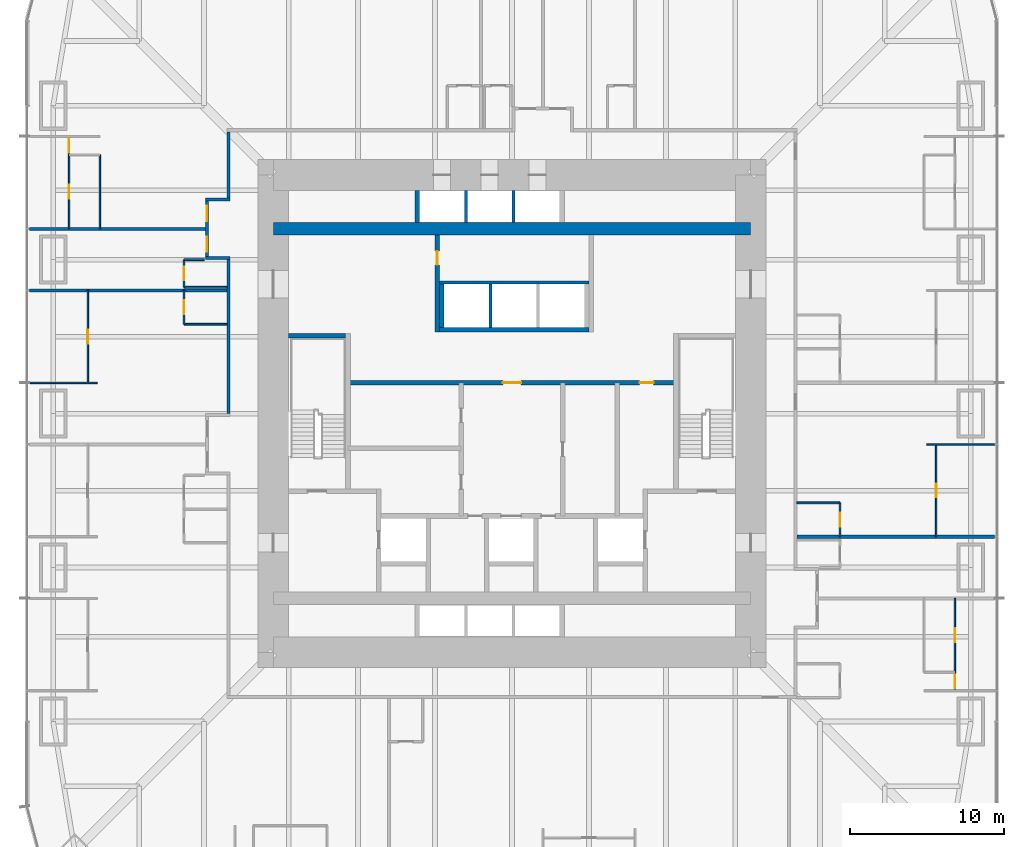
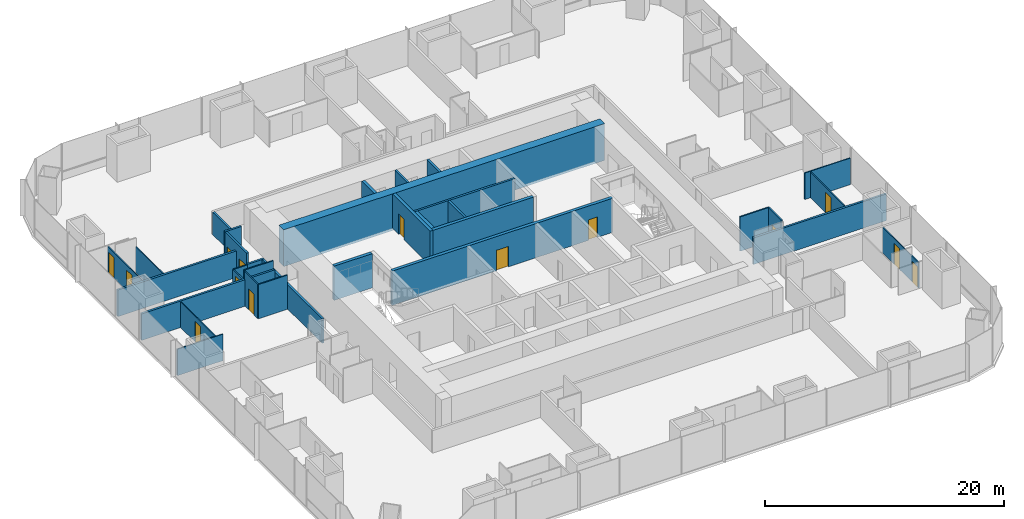
# One storey, part 14 of 17: 33 walls, 14 doors, 14 openings.
"""IFC4 building model written with IfcOpenShell, lengths in metres."""

from ifc_helpers import new_model, si_unit, direction, frame, frame_2d, origin, place, context, subcontext, project, spatial, rectangle, extrude, material, layer, layer_set, type_object, element, fill, save


model = new_model("IFC4")

# Units and contexts
model_context = context("Model", 3, precision=1e-05, world=origin(), true_north=direction((0.0, 1.0)))
body_context = subcontext(model_context, "Body", "Model", "MODEL_VIEW")
ifc_project = project(units=[si_unit("LENGTHUNIT", "METRE"), si_unit("AREAUNIT", "SQUARE_METRE"), si_unit("VOLUMEUNIT", "CUBIC_METRE"), si_unit("PLANEANGLEUNIT", "RADIAN"), si_unit("MASSUNIT", "GRAM", prefix="KILO")], contexts=[model_context])

# Site, building, storey
site_placement = place(None, origin())
site = spatial("IfcSite", under=ifc_project, at=site_placement, CompositionType="ELEMENT")
building_placement = place(site_placement, origin())
building = spatial("IfcBuilding", under=site, at=building_placement, Name="Khuree Lantern Residences", CompositionType="ELEMENT")
storey_placement = place(building_placement, frame((0.0, 0.0, 51.0)))
storey = spatial("IfcBuildingStorey", under=building, at=storey_placement, Name="L12", CompositionType="ELEMENT", Elevation=51.0)

# Wall, opening, door
ifc_material_1 = material(Name="Moisture-resistant gypsum board on steel studs", Category="steel")
ifc_layer_1 = layer(ifc_material_1, 0.125)
ifc_layer_set_1 = layer_set([ifc_layer_1], Name="BATHROOM WALL BTW125")
wall_type_1 = type_object("IfcWallType", Name="BATHROOM WALL BTW125", PredefinedType="PARTITIONING", material=ifc_layer_set_1)
wall_1_placement = place(storey_placement, frame((21.300048828125, -8.0, 0.0), z_axis=(0.0, 0.0, 1.0), x_axis=(0.0, 1.0, 0.0)))
wall_1 = element("IfcWall", 1, at=wall_1_placement, inside=storey, type_object=wall_type_1, Name="L12 BATHROOM WALL 01", PredefinedType="PARTITIONING", context=body_context, shape_type="SweptSolid", body=[
    extrude(rectangle(XDim=2.199951171875, YDim=0.125, at=frame_2d((1.10009765625, 0.0))), origin(), (0.0, 0.0, 1.0), 3.5),
])
opening_1_placement = place(wall_1_placement, frame((0.64990234375, 0.0, 0.0)))
opening_1 = element("IfcOpeningElement", 2, at=opening_1_placement, cuts=wall_1, Name="Opening 12-022", PredefinedType="OPENING", context=body_context, shape_type="SweptSolid", body=[
    extrude(rectangle(XDim=0.89990234375, YDim=2.10009765625, at=frame_2d((0.449951171875, 1.050048828125))), frame((0.0, 0.072509765625, 0.0), z_axis=(0.0, -1.0, 0.0), x_axis=(1.0, 0.0, 0.0)), (0.0, 0.0, 1.0), 0.14501953125),
])
ifc_material_2 = material(Name="Timber door leaf in hardwood frame", Category="wood")
door_type_1 = type_object("IfcDoorType", Name="BATHROOM DOOR 900X2100", OperationType="SINGLE_SWING_LEFT", PredefinedType="DOOR", material=ifc_material_2)
door_1_placement = place(opening_1_placement, origin())
door_1 = element("IfcDoor", 3, at=door_1_placement, inside=storey, type_object=door_type_1, Name="Bathroom door 12-022", OperationType="SINGLE_SWING_LEFT", OverallHeight=2.10009765625, OverallWidth=0.89990234375, PredefinedType="DOOR", context=body_context, shape_type="SweptSolid", body=[
    extrude(rectangle(XDim=0.89990234375, YDim=2.10009765625, at=frame_2d((0.449951171875, 1.050048828125))), frame((0.0, 0.02490234375, 0.0), z_axis=(0.0, -1.0, 0.0), x_axis=(1.0, 0.0, 0.0)), (0.0, 0.0, 1.0), 0.050048828125),
])
fill(opening_1, door_1)

# Wall
wall_2_placement = place(storey_placement, frame((18.5, -5.800048828125, 0.0), z_axis=(0.0, 0.0, 1.0), x_axis=(1.0, 0.0, 0.0)))
element("IfcWall", 4, at=wall_2_placement, inside=storey, type_object=wall_type_1, Name="L12 BATHROOM WALL 01", PredefinedType="PARTITIONING", context=body_context, shape_type="SweptSolid", body=[
    extrude(rectangle(XDim=2.800048828125, YDim=0.125, at=frame_2d((1.39990234375, 0.0))), origin(), (0.0, 0.0, 1.0), 3.5),
])

# Wall, opening, door
wall_3_placement = place(storey_placement, frame((-21.300048828125, 10.0, 0.0), z_axis=(0.0, 0.0, 1.0), x_axis=(0.0, -1.0, 0.0)))
wall_3 = element("IfcWall", 5, at=wall_3_placement, inside=storey, type_object=wall_type_1, Name="L12 BATHROOM WALL 06", PredefinedType="PARTITIONING", context=body_context, shape_type="SweptSolid", body=[
    extrude(rectangle(XDim=1.800048828125, YDim=0.125, at=frame_2d((0.89990234375, 0.0))), origin(), (0.0, 0.0, 1.0), 2.491943359375),
])
opening_2_placement = place(wall_3_placement, frame((0.449951171875, 0.0, 0.0)))
opening_2 = element("IfcOpeningElement", 6, at=opening_2_placement, cuts=wall_3, Name="Opening 12-040", PredefinedType="OPENING", context=body_context, shape_type="SweptSolid", body=[
    extrude(rectangle(XDim=0.89990234375, YDim=2.10009765625, at=frame_2d((0.449951171875, 1.050048828125))), frame((0.0, 0.072509765625, 0.0), z_axis=(0.0, -1.0, 0.0), x_axis=(1.0, 0.0, 0.0)), (0.0, 0.0, 1.0), 0.14501953125),
])
door_2_placement = place(opening_2_placement, origin())
door_2 = element("IfcDoor", 7, at=door_2_placement, inside=storey, type_object=door_type_1, Name="Bathroom door 12-040", OperationType="SINGLE_SWING_LEFT", OverallHeight=2.10009765625, OverallWidth=0.89990234375, PredefinedType="DOOR", context=body_context, shape_type="SweptSolid", body=[
    extrude(rectangle(XDim=0.89990234375, YDim=2.10009765625, at=frame_2d((0.449951171875, 1.050048828125))), frame((0.0, 0.02490234375, 0.0), z_axis=(0.0, -1.0, 0.0), x_axis=(1.0, 0.0, 0.0)), (0.0, 0.0, 1.0), 0.050048828125),
])
fill(opening_2, door_2)

# Walls
wall_4_placement = place(storey_placement, frame((-19.969970703125, 10.0, 0.0), z_axis=(0.0, 0.0, 1.0), x_axis=(-1.0, 0.0, 0.0)))
element("IfcWall", 8, at=wall_4_placement, inside=storey, type_object=wall_type_1, Name="L12 BATHROOM WALL 06", PredefinedType="PARTITIONING", context=body_context, shape_type="SweptSolid", body=[
    extrude(rectangle(XDim=1.330078125, YDim=0.125, at=frame_2d((0.6650390625, 0.0))), origin(), (0.0, 0.0, 1.0), 2.491943359375),
])
wall_5_placement = place(storey_placement, frame((-18.5, 8.199951171875, 0.0), z_axis=(0.0, 0.0, 1.0), x_axis=(-1.0, 0.0, 0.0)))
element("IfcWall", 9, at=wall_5_placement, inside=storey, type_object=wall_type_1, Name="L12 BATHROOM WALL 06", PredefinedType="PARTITIONING", context=body_context, shape_type="SweptSolid", body=[
    extrude(rectangle(XDim=2.800048828125, YDim=0.125, at=frame_2d((1.39990234375, 0.0))), origin(), (0.0, 0.0, 1.0), 3.5),
])

# Wall, opening, door
wall_6_placement = place(storey_placement, frame((-21.300048828125, 8.0, 0.0), z_axis=(0.0, 0.0, 1.0), x_axis=(0.0, -1.0, 0.0)))
wall_6 = element("IfcWall", 10, at=wall_6_placement, inside=storey, type_object=wall_type_1, Name="L12 BATHROOM WALL 07", PredefinedType="PARTITIONING", context=body_context, shape_type="SweptSolid", body=[
    extrude(rectangle(XDim=2.199951171875, YDim=0.125, at=frame_2d((1.10009765625, 0.0))), origin(), (0.0, 0.0, 1.0), 3.5),
])
opening_3_placement = place(wall_6_placement, frame((0.64990234375, 0.0, 0.0)))
opening_3 = element("IfcOpeningElement", 11, at=opening_3_placement, cuts=wall_6, Name="Opening 12-043", PredefinedType="OPENING", context=body_context, shape_type="SweptSolid", body=[
    extrude(rectangle(XDim=0.89990234375, YDim=2.10009765625, at=frame_2d((0.449951171875, 1.050048828125))), frame((0.0, 0.072509765625, 0.0), z_axis=(0.0, -1.0, 0.0), x_axis=(1.0, 0.0, 0.0)), (0.0, 0.0, 1.0), 0.14501953125),
])
door_3_placement = place(opening_3_placement, origin())
door_3 = element("IfcDoor", 12, at=door_3_placement, inside=storey, type_object=door_type_1, Name="Bathroom door 12-043", OperationType="SINGLE_SWING_LEFT", OverallHeight=2.10009765625, OverallWidth=0.89990234375, PredefinedType="DOOR", context=body_context, shape_type="SweptSolid", body=[
    extrude(rectangle(XDim=0.89990234375, YDim=2.10009765625, at=frame_2d((0.449951171875, 1.050048828125))), frame((0.0, 0.02490234375, 0.0), z_axis=(0.0, -1.0, 0.0), x_axis=(1.0, 0.0, 0.0)), (0.0, 0.0, 1.0), 0.050048828125),
])
fill(opening_3, door_3)

# Walls
wall_7_placement = place(storey_placement, frame((-18.5, 5.800048828125, 0.0), z_axis=(0.0, 0.0, 1.0), x_axis=(-1.0, 0.0, 0.0)))
element("IfcWall", 13, at=wall_7_placement, inside=storey, type_object=wall_type_1, Name="L12 BATHROOM WALL 07", PredefinedType="PARTITIONING", context=body_context, shape_type="SweptSolid", body=[
    extrude(rectangle(XDim=2.800048828125, YDim=0.125, at=frame_2d((1.39990234375, 0.0))), origin(), (0.0, 0.0, 1.0), 3.5),
])
ifc_material_3 = material(Name="Dense concrete blockwork", Category="masonry")
ifc_layer_2 = layer(ifc_material_3, 0.300048828125)
ifc_layer_set_2 = layer_set([ifc_layer_2], Name="CORE PARTITION WALL CPW300 EI 120")
wall_type_2 = type_object("IfcWallType", Name="CORE PARTITION WALL CPW300 EI 120", PredefinedType="PARTITIONING", material=ifc_layer_set_2)
wall_8_placement = place(storey_placement, frame((-4.699951171875, 5.449951171875, 0.0), z_axis=(0.0, 0.0, 1.0), x_axis=(1.0, 0.0, 0.0)))
element("IfcWall", 14, at=wall_8_placement, inside=storey, type_object=wall_type_2, Name="L12 CORE WALL PHS", PredefinedType="PARTITIONING", context=body_context, shape_type="SweptSolid", body=[
    extrude(rectangle(XDim=9.699951171875, YDim=0.300048828125, at=frame_2d((4.85009765625, 0.0))), origin(), (0.0, 0.0, 1.0), 3.5),
])
wall_9_placement = place(storey_placement, frame((-4.550048828125, 5.60009765625, 0.0), z_axis=(0.0, 0.0, 1.0), x_axis=(0.0, 1.0, 0.0)))
element("IfcWall", 15, at=wall_9_placement, inside=storey, type_object=wall_type_2, Name="L12 CORE WALL PHW", PredefinedType="PARTITIONING", context=body_context, shape_type="SweptSolid", body=[
    extrude(rectangle(XDim=2.7998046875, YDim=0.300048828125, at=frame_2d((1.39990234375, 0.0))), origin(), (0.0, 0.0, 1.0), 3.5),
])
wall_10_placement = place(storey_placement, frame((-6.14990234375, 12.39990234375, 0.0), z_axis=(0.0, 0.0, 1.0), x_axis=(0.0, 1.0, 0.0)))
element("IfcWall", 16, at=wall_10_placement, inside=storey, type_object=wall_type_2, Name="L12 CORE WALL PLW", PredefinedType="PARTITIONING", context=body_context, shape_type="SweptSolid", body=[
    extrude(rectangle(XDim=2.10009765625, YDim=0.300048828125, at=frame_2d((1.050048828125, 0.0))), origin(), (0.0, 0.0, 1.0), 3.5),
])

# Wall, openings, doors
wall_11_placement = place(storey_placement, frame((-10.64990234375, 2.0, 0.0), z_axis=(0.0, 0.0, 1.0), x_axis=(1.0, 0.0, 0.0)))
wall_11 = element("IfcWall", 17, at=wall_11_placement, inside=storey, type_object=wall_type_2, Name="L12 CORE WALL LLS", PredefinedType="PARTITIONING", context=body_context, shape_type="SweptSolid", body=[
    extrude(rectangle(XDim=21.2998046875, YDim=0.300048828125, at=frame_2d((10.64990234375, 0.0))), origin(), (0.0, 0.0, 1.0), 3.5),
])
opening_4_placement = place(wall_11_placement, frame((10.050048828125, 0.0, 0.0)))
opening_4 = element("IfcOpeningElement", 18, at=opening_4_placement, cuts=wall_11, Name="Opening 12-013", PredefinedType="OPENING", context=body_context, shape_type="SweptSolid", body=[
    extrude(rectangle(XDim=1.199951171875, YDim=2.10009765625, at=frame_2d((0.60009765625, 1.050048828125))), frame((0.0, 0.16015625, 0.0), z_axis=(0.0, -1.0, 0.0), x_axis=(1.0, 0.0, 0.0)), (0.0, 0.0, 1.0), 0.320068359375),
])
opening_5_placement = place(wall_11_placement, frame((18.94189453125, 0.0, 0.0)))
opening_5 = element("IfcOpeningElement", 19, at=opening_5_placement, cuts=wall_11, Name="Opening 12-019", PredefinedType="OPENING", context=body_context, shape_type="SweptSolid", body=[
    extrude(rectangle(XDim=0.89990234375, YDim=2.10009765625, at=frame_2d((0.449951171875, 1.050048828125))), frame((0.0, 0.16015625, 0.0), z_axis=(0.0, -1.0, 0.0), x_axis=(1.0, 0.0, 0.0)), (0.0, 0.0, 1.0), 0.320068359375),
])
ifc_material_4 = material(Name="Steel door leaf in steel frame", Category="steel")
door_type_2 = type_object("IfcDoorType", Name="DOOR 1200X2100 EI 60", OperationType="SINGLE_SWING_LEFT", PredefinedType="DOOR", material=ifc_material_4)
door_4_placement = place(opening_4_placement, origin())
door_4 = element("IfcDoor", 20, at=door_4_placement, inside=storey, type_object=door_type_2, Name="Service lift lobby door 12-013", OperationType="SINGLE_SWING_LEFT", OverallHeight=2.10009765625, OverallWidth=1.199951171875, PredefinedType="DOOR", context=body_context, shape_type="SweptSolid", body=[
    extrude(rectangle(XDim=1.199951171875, YDim=2.10009765625, at=frame_2d((0.60009765625, 1.050048828125))), frame((0.0, 0.02490234375, 0.0), z_axis=(0.0, -1.0, 0.0), x_axis=(1.0, 0.0, 0.0)), (0.0, 0.0, 1.0), 0.050048828125),
])
fill(opening_4, door_4)
door_type_3 = type_object("IfcDoorType", Name="DOOR 900X2100 RIGHT HAND", OperationType="SINGLE_SWING_RIGHT", PredefinedType="DOOR", material=ifc_material_2)
door_5_placement = place(opening_5_placement, origin())
door_5 = element("IfcDoor", 21, at=door_5_placement, inside=storey, type_object=door_type_3, Name="Residents' store door 12-019", OperationType="SINGLE_SWING_RIGHT", OverallHeight=2.10009765625, OverallWidth=0.89990234375, PredefinedType="DOOR", context=body_context, shape_type="SweptSolid", body=[
    extrude(rectangle(XDim=0.89990234375, YDim=2.10009765625, at=frame_2d((0.449951171875, 1.050048828125))), frame((0.0, 0.02490234375, 0.0), z_axis=(0.0, -1.0, 0.0), x_axis=(1.0, 0.0, 0.0)), (0.0, 0.0, 1.0), 0.050048828125),
])
fill(opening_5, door_5)

# Wall, opening, door
wall_12_placement = place(storey_placement, frame((-4.85009765625, 5.300048828125, 0.0), z_axis=(0.0, 0.0, 1.0), x_axis=(0.0, 1.0, 0.0)))
wall_12 = element("IfcWall", 22, at=wall_12_placement, inside=storey, type_object=wall_type_2, Name="L12 CORE WALL NW", PredefinedType="PARTITIONING", context=body_context, shape_type="SweptSolid", body=[
    extrude(rectangle(XDim=6.300048828125, YDim=0.300048828125, at=frame_2d((3.14990234375, 0.0))), origin(), (0.0, 0.0, 1.0), 3.5),
])
opening_6_placement = place(wall_12_placement, frame((4.35009765625, 0.0, 0.0)))
opening_6 = element("IfcOpeningElement", 23, at=opening_6_placement, cuts=wall_12, Name="Opening 12-020", PredefinedType="OPENING", context=body_context, shape_type="SweptSolid", body=[
    extrude(rectangle(XDim=0.89990234375, YDim=2.10009765625, at=frame_2d((0.449951171875, 1.050048828125))), frame((0.0, 0.16015625, 0.0), z_axis=(0.0, -1.0, 0.0), x_axis=(1.0, 0.0, 0.0)), (0.0, 0.0, 1.0), 0.320068359375),
])
door_6_placement = place(opening_6_placement, origin())
door_6 = element("IfcDoor", 24, at=door_6_placement, inside=storey, type_object=door_type_3, Name="Residents' store door 12-020", OperationType="SINGLE_SWING_RIGHT", OverallHeight=2.10009765625, OverallWidth=0.89990234375, PredefinedType="DOOR", context=body_context, shape_type="SweptSolid", body=[
    extrude(rectangle(XDim=0.89990234375, YDim=2.10009765625, at=frame_2d((0.449951171875, 1.050048828125))), frame((0.0, 0.02490234375, 0.0), z_axis=(0.0, -1.0, 0.0), x_axis=(1.0, 0.0, 0.0)), (0.0, 0.0, 1.0), 0.050048828125),
])
fill(opening_6, door_6)

# Walls
ifc_material_5 = material(Name="Gypsum board on steel studs", Category="steel")
ifc_layer_3 = layer(ifc_material_5, 0.199951171875)
ifc_layer_set_3 = layer_set([ifc_layer_3], Name="CORRIDOR WALL CRW200 EI 60")
wall_type_3 = type_object("IfcWallType", Name="CORRIDOR WALL CRW200 EI 60", PredefinedType="PARTITIONING", material=ifc_layer_set_3)
wall_13_placement = place(storey_placement, frame((-18.39990234375, 18.300048828125, 0.0), z_axis=(0.0, 0.0, 1.0), x_axis=(0.0, -1.0, 0.0)))
element("IfcWall", 25, at=wall_13_placement, inside=storey, type_object=wall_type_3, Name="L12 CORRIDOR WALL WEST 1", PredefinedType="PARTITIONING", context=body_context, shape_type="SweptSolid", body=[
    extrude(rectangle(XDim=4.300048828125, YDim=0.199951171875, at=frame_2d((2.14990234375, 0.0))), origin(), (0.0, 0.0, 1.0), 2.300048828125),
])
wall_14_placement = place(storey_placement, frame((-18.300048828125, 13.89990234375, 0.0), z_axis=(0.0, 0.0, 1.0), x_axis=(-1.0, 0.0, 0.0)))
element("IfcWall", 26, at=wall_14_placement, inside=storey, type_object=wall_type_3, Name="L12 CORRIDOR ALCOVE WALL WEST", PredefinedType="PARTITIONING", context=body_context, shape_type="SweptSolid", body=[
    extrude(rectangle(XDim=1.599853515625, YDim=0.199951171875, at=frame_2d((0.7998046875, 0.0))), origin(), (0.0, 0.0, 1.0), 3.5),
])
wall_15_placement = place(storey_placement, frame((-18.300048828125, 10.10009765625, 0.0), z_axis=(0.0, 0.0, 1.0), x_axis=(-1.0, 0.0, 0.0)))
element("IfcWall", 27, at=wall_15_placement, inside=storey, type_object=wall_type_3, Name="L12 CORRIDOR ALCOVE WALL WEST", PredefinedType="PARTITIONING", context=body_context, shape_type="SweptSolid", body=[
    extrude(rectangle(XDim=1.599853515625, YDim=0.199951171875, at=frame_2d((0.7998046875, 0.0))), origin(), (0.0, 0.0, 1.0), 2.491943359375),
])

# Wall, openings, doors
wall_16_placement = place(storey_placement, frame((-19.800048828125, 13.800048828125, 0.0), z_axis=(0.0, 0.0, 1.0), x_axis=(0.0, -1.0, 0.0)))
wall_16 = element("IfcWall", 28, at=wall_16_placement, inside=storey, type_object=wall_type_3, Name="L12 CORRIDOR ALCOVE WALL WEST", PredefinedType="PARTITIONING", context=body_context, shape_type="SweptSolid", body=[
    extrude(rectangle(XDim=3.60009765625, YDim=0.199951171875, at=frame_2d((1.800048828125, 0.0))), origin(), (0.0, 0.0, 1.0), 3.5),
])
opening_7_placement = place(wall_16_placement, frame((0.300048828125, 0.0, 0.0)))
opening_7 = element("IfcOpeningElement", 29, at=opening_7_placement, cuts=wall_16, Name="Opening 12-039", PredefinedType="OPENING", context=body_context, shape_type="SweptSolid", body=[
    extrude(rectangle(XDim=1.0, YDim=2.199951171875, at=frame_2d((0.5, 1.10009765625))), frame((0.0, 0.10986328125, 0.0), z_axis=(0.0, -1.0, 0.0), x_axis=(1.0, 0.0, 0.0)), (0.0, 0.0, 1.0), 0.219970703125),
])
opening_8_placement = place(wall_16_placement, frame((2.300048828125, 0.0, 0.0)))
opening_8 = element("IfcOpeningElement", 30, at=opening_8_placement, cuts=wall_16, Name="Opening 12-041", PredefinedType="OPENING", context=body_context, shape_type="SweptSolid", body=[
    extrude(rectangle(XDim=1.0, YDim=2.199951171875, at=frame_2d((0.5, 1.10009765625))), frame((0.0, 0.10986328125, 0.0), z_axis=(0.0, -1.0, 0.0), x_axis=(1.0, 0.0, 0.0)), (0.0, 0.0, 1.0), 0.219970703125),
])
door_type_4 = type_object("IfcDoorType", Name="APARTMENT ENTRANCE DOOR 1000X2200 EI 30S", OperationType="SINGLE_SWING_LEFT", PredefinedType="DOOR", material=ifc_material_2)
door_7_placement = place(opening_7_placement, origin())
door_7 = element("IfcDoor", 31, at=door_7_placement, inside=storey, type_object=door_type_4, Name="Apartment 05 entrance door 12-039", OperationType="SINGLE_SWING_LEFT", OverallHeight=2.199951171875, OverallWidth=1.0, PredefinedType="DOOR", context=body_context, shape_type="SweptSolid", body=[
    extrude(rectangle(XDim=1.0, YDim=2.199951171875, at=frame_2d((0.5, 1.10009765625))), frame((0.0, 0.02490234375, 0.0), z_axis=(0.0, -1.0, 0.0), x_axis=(1.0, 0.0, 0.0)), (0.0, 0.0, 1.0), 0.050048828125),
])
fill(opening_7, door_7)
door_type_5 = type_object("IfcDoorType", Name="APARTMENT ENTRANCE DOOR 1000X2200 EI 30S RIGHT HAND", OperationType="SINGLE_SWING_RIGHT", PredefinedType="DOOR", material=ifc_material_2)
door_8_placement = place(opening_8_placement, origin())
door_8 = element("IfcDoor", 32, at=door_8_placement, inside=storey, type_object=door_type_5, Name="Apartment 06 entrance door 12-041", OperationType="SINGLE_SWING_RIGHT", OverallHeight=2.199951171875, OverallWidth=1.0, PredefinedType="DOOR", context=body_context, shape_type="SweptSolid", body=[
    extrude(rectangle(XDim=1.0, YDim=2.199951171875, at=frame_2d((0.5, 1.10009765625))), frame((0.0, 0.02490234375, 0.0), z_axis=(0.0, -1.0, 0.0), x_axis=(1.0, 0.0, 0.0)), (0.0, 0.0, 1.0), 0.050048828125),
])
fill(opening_8, door_8)

# Walls
wall_17_placement = place(storey_placement, frame((-18.39990234375, 10.0, 0.0), z_axis=(0.0, 0.0, 1.0), x_axis=(0.0, -1.0, 0.0)))
element("IfcWall", 33, at=wall_17_placement, inside=storey, type_object=wall_type_3, Name="L12 CORRIDOR WALL WEST 2", PredefinedType="PARTITIONING", context=body_context, shape_type="SweptSolid", body=[
    extrude(rectangle(XDim=10.0, YDim=0.199951171875, at=frame_2d((5.0, 0.0))), origin(), (0.0, 0.0, 1.0), 2.491943359375),
])
ifc_layer_4 = layer(ifc_material_5, 0.199951171875)
ifc_layer_set_4 = layer_set([ifc_layer_4], Name="DEMISING WALL DMW200 EI 90")
wall_type_4 = type_object("IfcWallType", Name="DEMISING WALL DMW200 EI 90", PredefinedType="PARTITIONING", material=ifc_layer_set_4)
wall_18_placement = place(storey_placement, frame((18.5, -8.0, 0.0), z_axis=(0.0, 0.0, 1.0), x_axis=(1.0, 0.0, 0.0)))
element("IfcWall", 34, at=wall_18_placement, inside=storey, type_object=wall_type_4, Name="L12 DEMISING WALL 01", PredefinedType="PARTITIONING", context=body_context, shape_type="SweptSolid", body=[
    extrude(rectangle(XDim=12.85009765625, YDim=0.199951171875, at=frame_2d((6.425048828125, 0.0))), origin(), (0.0, 0.0, 1.0), 2.7099609375),
])
wall_19_placement = place(storey_placement, frame((-19.89990234375, 12.0, 0.0), z_axis=(0.0, 0.0, 1.0), x_axis=(-1.0, 0.0, 0.0)))
element("IfcWall", 35, at=wall_19_placement, inside=storey, type_object=wall_type_4, Name="L12 DEMISING WALL 06", PredefinedType="PARTITIONING", context=body_context, shape_type="SweptSolid", body=[
    extrude(rectangle(XDim=11.4501953125, YDim=0.199951171875, at=frame_2d((5.72509765625, 0.0))), origin(), (0.0, 0.0, 1.0), 2.7099609375),
])
wall_20_placement = place(storey_placement, frame((-18.5, 8.0, 0.0), z_axis=(0.0, 0.0, 1.0), x_axis=(-1.0, 0.0, 0.0)))
element("IfcWall", 36, at=wall_20_placement, inside=storey, type_object=wall_type_4, Name="L12 DEMISING WALL 07", PredefinedType="PARTITIONING", context=body_context, shape_type="SweptSolid", body=[
    extrude(rectangle(XDim=12.85009765625, YDim=0.199951171875, at=frame_2d((6.425048828125, 0.0))), origin(), (0.0, 0.0, 1.0), 2.7099609375),
])
ifc_layer_5 = layer(ifc_material_5, 0.10009765625)
ifc_layer_set_5 = layer_set([ifc_layer_5], Name="PARTITION PT100")
wall_type_5 = type_object("IfcWallType", Name="PARTITION PT100", PredefinedType="PARTITIONING", material=ifc_layer_set_5)
for number, where, z_axis, x_axis, name in (
    (37, (26.949951171875, -2.0, 0.0), (0.0, 0.0, 1.0), (1.0, 0.0, 0.0), "L12 PARTITION 01"),
    (38, (-26.949951171875, 2.0, 0.0), (0.0, 0.0, 1.0), (-1.0, 0.0, 0.0), "L12 PARTITION 07"),
):
    element("IfcWall", number, at=place(storey_placement, frame(where, z_axis=z_axis, x_axis=x_axis)), inside=storey, type_object=wall_type_5, Name=name, PredefinedType="PARTITIONING", context=body_context, shape_type="SweptSolid", body=[
        extrude(rectangle(XDim=4.400146484375, YDim=0.10009765625, at=frame_2d((2.2001953125, 0.0))), origin(), (0.0, 0.0, 1.0), 2.7099609375),
    ])

# Wall, opening, door
wall_21_placement = place(storey_placement, frame((27.550048828125, -8.0, 0.0), z_axis=(0.0, 0.0, 1.0), x_axis=(0.0, 1.0, 0.0)))
wall_21 = element("IfcWall", 39, at=wall_21_placement, inside=storey, type_object=wall_type_5, Name="L12 PARTITION 01", PredefinedType="PARTITIONING", context=body_context, shape_type="SweptSolid", body=[
    extrude(rectangle(XDim=6.0, YDim=0.10009765625, at=frame_2d((3.0, 0.0))), origin(), (0.0, 0.0, 1.0), 2.610107421875),
])
opening_9_placement = place(wall_21_placement, frame((2.550048828125, 0.0, 0.0)))
opening_9 = element("IfcOpeningElement", 40, at=opening_9_placement, cuts=wall_21, Name="Opening 12-021", PredefinedType="OPENING", context=body_context, shape_type="SweptSolid", body=[
    extrude(rectangle(XDim=0.89990234375, YDim=2.10009765625, at=frame_2d((0.449951171875, 1.050048828125))), frame((0.0, 0.06005859375, 0.0), z_axis=(0.0, -1.0, 0.0), x_axis=(1.0, 0.0, 0.0)), (0.0, 0.0, 1.0), 0.1201171875),
])
door_type_6 = type_object("IfcDoorType", Name="BEDROOM DOOR 900X2100", OperationType="SINGLE_SWING_LEFT", PredefinedType="DOOR", material=ifc_material_2)
door_9_placement = place(opening_9_placement, origin())
door_9 = element("IfcDoor", 41, at=door_9_placement, inside=storey, type_object=door_type_6, Name="Bedroom door 12-021", OperationType="SINGLE_SWING_LEFT", OverallHeight=2.10009765625, OverallWidth=0.89990234375, PredefinedType="DOOR", context=body_context, shape_type="SweptSolid", body=[
    extrude(rectangle(XDim=0.89990234375, YDim=2.10009765625, at=frame_2d((0.449951171875, 1.050048828125))), frame((0.0, 0.02490234375, 0.0), z_axis=(0.0, -1.0, 0.0), x_axis=(1.0, 0.0, 0.0)), (0.0, 0.0, 1.0), 0.050048828125),
])
fill(opening_9, door_9)

# Wall, openings, doors
wall_22_placement = place(storey_placement, frame((-28.7666015625, 18.0, 0.0), z_axis=(0.0, 0.0, 1.0), x_axis=(0.0, -1.0, 0.0)))
wall_22 = element("IfcWall", 42, at=wall_22_placement, inside=storey, type_object=wall_type_5, Name="L12 PARTITION 05", PredefinedType="PARTITIONING", context=body_context, shape_type="SweptSolid", body=[
    extrude(rectangle(XDim=6.0, YDim=0.10009765625, at=frame_2d((3.0, 0.0))), origin(), (0.0, 0.0, 1.0), 2.610107421875),
])
opening_10_placement = place(wall_22_placement, frame((0.14990234375, 0.0, 0.0)))
opening_10 = element("IfcOpeningElement", 43, at=opening_10_placement, cuts=wall_22, Name="Opening 12-036", PredefinedType="OPENING", context=body_context, shape_type="SweptSolid", body=[
    extrude(rectangle(XDim=0.89990234375, YDim=2.10009765625, at=frame_2d((0.449951171875, 1.050048828125))), frame((0.0, 0.06005859375, 0.0), z_axis=(0.0, -1.0, 0.0), x_axis=(1.0, 0.0, 0.0)), (0.0, 0.0, 1.0), 0.1201171875),
])
opening_11_placement = place(wall_22_placement, frame((3.14990234375, 0.0, 0.0)))
opening_11 = element("IfcOpeningElement", 44, at=opening_11_placement, cuts=wall_22, Name="Opening 12-037", PredefinedType="OPENING", context=body_context, shape_type="SweptSolid", body=[
    extrude(rectangle(XDim=0.89990234375, YDim=2.10009765625, at=frame_2d((0.449951171875, 1.050048828125))), frame((0.0, 0.06005859375, 0.0), z_axis=(0.0, -1.0, 0.0), x_axis=(1.0, 0.0, 0.0)), (0.0, 0.0, 1.0), 0.1201171875),
])
door_10_placement = place(opening_10_placement, origin())
door_10 = element("IfcDoor", 45, at=door_10_placement, inside=storey, type_object=door_type_6, Name="Bedroom door 12-036", OperationType="SINGLE_SWING_LEFT", OverallHeight=2.10009765625, OverallWidth=0.89990234375, PredefinedType="DOOR", context=body_context, shape_type="SweptSolid", body=[
    extrude(rectangle(XDim=0.89990234375, YDim=2.10009765625, at=frame_2d((0.449951171875, 1.050048828125))), frame((0.0, 0.02490234375, 0.0), z_axis=(0.0, -1.0, 0.0), x_axis=(1.0, 0.0, 0.0)), (0.0, 0.0, 1.0), 0.050048828125),
])
fill(opening_10, door_10)
door_type_7 = type_object("IfcDoorType", Name="DOOR 900X2100", OperationType="SINGLE_SWING_LEFT", PredefinedType="DOOR", material=ifc_material_2)
door_11_placement = place(opening_11_placement, origin())
door_11 = element("IfcDoor", 46, at=door_11_placement, inside=storey, type_object=door_type_7, Name="Wardrobe door 12-037", OperationType="SINGLE_SWING_LEFT", OverallHeight=2.10009765625, OverallWidth=0.89990234375, PredefinedType="DOOR", context=body_context, shape_type="SweptSolid", body=[
    extrude(rectangle(XDim=0.89990234375, YDim=2.10009765625, at=frame_2d((0.449951171875, 1.050048828125))), frame((0.0, 0.02490234375, 0.0), z_axis=(0.0, -1.0, 0.0), x_axis=(1.0, 0.0, 0.0)), (0.0, 0.0, 1.0), 0.050048828125),
])
fill(opening_11, door_11)

# Wall
wall_23_placement = place(storey_placement, frame((-26.7666015625, 16.800048828125, 0.0), z_axis=(0.0, 0.0, 1.0), x_axis=(0.0, -1.0, 0.0)))
element("IfcWall", 47, at=wall_23_placement, inside=storey, type_object=wall_type_5, Name="L12 PARTITION 05", PredefinedType="PARTITIONING", context=body_context, shape_type="SweptSolid", body=[
    extrude(rectangle(XDim=4.800048828125, YDim=0.10009765625, at=frame_2d((2.39990234375, 0.0))), origin(), (0.0, 0.0, 1.0), 2.610107421875),
])

# Wall, opening, door
wall_24_placement = place(storey_placement, frame((-27.550048828125, 8.0, 0.0), z_axis=(0.0, 0.0, 1.0), x_axis=(0.0, -1.0, 0.0)))
wall_24 = element("IfcWall", 48, at=wall_24_placement, inside=storey, type_object=wall_type_5, Name="L12 PARTITION 07", PredefinedType="PARTITIONING", context=body_context, shape_type="SweptSolid", body=[
    extrude(rectangle(XDim=6.0, YDim=0.10009765625, at=frame_2d((3.0, 0.0))), origin(), (0.0, 0.0, 1.0), 2.610107421875),
])
opening_12_placement = place(wall_24_placement, frame((2.550048828125, 0.0, 0.0)))
opening_12 = element("IfcOpeningElement", 49, at=opening_12_placement, cuts=wall_24, Name="Opening 12-042", PredefinedType="OPENING", context=body_context, shape_type="SweptSolid", body=[
    extrude(rectangle(XDim=0.89990234375, YDim=2.10009765625, at=frame_2d((0.449951171875, 1.050048828125))), frame((0.0, 0.06005859375, 0.0), z_axis=(0.0, -1.0, 0.0), x_axis=(1.0, 0.0, 0.0)), (0.0, 0.0, 1.0), 0.1201171875),
])
door_12_placement = place(opening_12_placement, origin())
door_12 = element("IfcDoor", 50, at=door_12_placement, inside=storey, type_object=door_type_6, Name="Bedroom door 12-042", OperationType="SINGLE_SWING_LEFT", OverallHeight=2.10009765625, OverallWidth=0.89990234375, PredefinedType="DOOR", context=body_context, shape_type="SweptSolid", body=[
    extrude(rectangle(XDim=0.89990234375, YDim=2.10009765625, at=frame_2d((0.449951171875, 1.050048828125))), frame((0.0, 0.02490234375, 0.0), z_axis=(0.0, -1.0, 0.0), x_axis=(1.0, 0.0, 0.0)), (0.0, 0.0, 1.0), 0.050048828125),
])
fill(opening_12, door_12)

# Wall, openings, doors
wall_25_placement = place(storey_placement, frame((28.7666015625, -18.0, 0.0), z_axis=(0.0, 0.0, 1.0), x_axis=(0.0, 1.0, 0.0)))
wall_25 = element("IfcWall", 51, at=wall_25_placement, inside=storey, type_object=wall_type_5, Name="L12 PARTITION 10", PredefinedType="PARTITIONING", context=body_context, shape_type="SweptSolid", body=[
    extrude(rectangle(XDim=6.0, YDim=0.10009765625, at=frame_2d((3.0, 0.0))), origin(), (0.0, 0.0, 1.0), 2.610107421875),
])
opening_13_placement = place(wall_25_placement, frame((0.14990234375, 0.0, 0.0)))
opening_13 = element("IfcOpeningElement", 52, at=opening_13_placement, cuts=wall_25, Name="Opening 12-055", PredefinedType="OPENING", context=body_context, shape_type="SweptSolid", body=[
    extrude(rectangle(XDim=0.89990234375, YDim=2.10009765625, at=frame_2d((0.449951171875, 1.050048828125))), frame((0.0, 0.06005859375, 0.0), z_axis=(0.0, -1.0, 0.0), x_axis=(1.0, 0.0, 0.0)), (0.0, 0.0, 1.0), 0.1201171875),
])
opening_14_placement = place(wall_25_placement, frame((3.14990234375, 0.0, 0.0)))
opening_14 = element("IfcOpeningElement", 53, at=opening_14_placement, cuts=wall_25, Name="Opening 12-056", PredefinedType="OPENING", context=body_context, shape_type="SweptSolid", body=[
    extrude(rectangle(XDim=0.89990234375, YDim=2.10009765625, at=frame_2d((0.449951171875, 1.050048828125))), frame((0.0, 0.06005859375, 0.0), z_axis=(0.0, -1.0, 0.0), x_axis=(1.0, 0.0, 0.0)), (0.0, 0.0, 1.0), 0.1201171875),
])
door_13_placement = place(opening_13_placement, origin())
door_13 = element("IfcDoor", 54, at=door_13_placement, inside=storey, type_object=door_type_6, Name="Bedroom door 12-055", OperationType="SINGLE_SWING_LEFT", OverallHeight=2.10009765625, OverallWidth=0.89990234375, PredefinedType="DOOR", context=body_context, shape_type="SweptSolid", body=[
    extrude(rectangle(XDim=0.89990234375, YDim=2.10009765625, at=frame_2d((0.449951171875, 1.050048828125))), frame((0.0, 0.02490234375, 0.0), z_axis=(0.0, -1.0, 0.0), x_axis=(1.0, 0.0, 0.0)), (0.0, 0.0, 1.0), 0.050048828125),
])
fill(opening_13, door_13)
door_14_placement = place(opening_14_placement, origin())
door_14 = element("IfcDoor", 55, at=door_14_placement, inside=storey, type_object=door_type_7, Name="Wardrobe door 12-056", OperationType="SINGLE_SWING_LEFT", OverallHeight=2.10009765625, OverallWidth=0.89990234375, PredefinedType="DOOR", context=body_context, shape_type="SweptSolid", body=[
    extrude(rectangle(XDim=0.89990234375, YDim=2.10009765625, at=frame_2d((0.449951171875, 1.050048828125))), frame((0.0, 0.02490234375, 0.0), z_axis=(0.0, -1.0, 0.0), x_axis=(1.0, 0.0, 0.0)), (0.0, 0.0, 1.0), 0.050048828125),
])
fill(opening_14, door_14)

# Walls
ifc_layer_6 = layer(ifc_material_3, 0.199951171875)
ifc_layer_set_6 = layer_set([ifc_layer_6], Name="SHAFT WALL SHW200 EI 120")
wall_type_6 = type_object("IfcWallType", Name="SHAFT WALL SHW200 EI 120", PredefinedType="PARTITIONING", material=ifc_layer_set_6)
wall_26_placement = place(storey_placement, frame((-4.699951171875, 8.5, 0.0), z_axis=(0.0, 0.0, 1.0), x_axis=(1.0, 0.0, 0.0)))
element("IfcWall", 56, at=wall_26_placement, inside=storey, type_object=wall_type_6, Name="L12 CORE WALL PHN", PredefinedType="PARTITIONING", context=body_context, shape_type="SweptSolid", body=[
    extrude(rectangle(XDim=9.699951171875, YDim=0.199951171875, at=frame_2d((4.85009765625, 0.0))), origin(), (0.0, 0.0, 1.0), 3.5),
])
wall_27_placement = place(storey_placement, frame((-1.39990234375, 5.60009765625, 0.0), z_axis=(0.0, 0.0, 1.0), x_axis=(0.0, 1.0, 0.0)))
element("IfcWall", 57, at=wall_27_placement, inside=storey, type_object=wall_type_6, Name="L12 CORE WALL PHD1", PredefinedType="PARTITIONING", context=body_context, shape_type="SweptSolid", body=[
    extrude(rectangle(XDim=2.7998046875, YDim=0.199951171875, at=frame_2d((1.39990234375, 0.0))), origin(), (0.0, 0.0, 1.0), 3.5),
])
for number, where, z_axis, x_axis, name in (
    (58, (-3.0, 12.39990234375, 0.0), (0.0, 0.0, 1.0), (0.0, 1.0, 0.0), "L12 CORE WALL PLD1"),
    (59, (0.10009765625, 12.39990234375, 0.0), (0.0, 0.0, 1.0), (0.0, 1.0, 0.0), "L12 CORE WALL PLD2"),
):
    element("IfcWall", number, at=place(storey_placement, frame(where, z_axis=z_axis, x_axis=x_axis)), inside=storey, type_object=wall_type_6, Name=name, PredefinedType="PARTITIONING", context=body_context, shape_type="SweptSolid", body=[
        extrude(rectangle(XDim=2.10009765625, YDim=0.199951171875, at=frame_2d((1.050048828125, 0.0))), origin(), (0.0, 0.0, 1.0), 3.5),
    ])
ifc_material_6 = material(Name="Concrete C70/85", Category="concrete")
ifc_layer_7 = layer(ifc_material_6, 0.800048828125)
ifc_layer_set_7 = layer_set([ifc_layer_7], Name="SP800-C70 CORE SPINE WALL C70 800")
wall_type_7 = type_object("IfcWallType", Name="SP800-C70 CORE SPINE WALL C70 800", PredefinedType="SHEAR", material=ifc_layer_set_7)
wall_28_placement = place(storey_placement, frame((-15.5, 12.0, -0.25), z_axis=(0.0, 0.0, 1.0), x_axis=(1.0, 0.0, 0.0)))
element("IfcWall", 60, at=wall_28_placement, inside=storey, type_object=wall_type_7, Name="Core wall SPN", PredefinedType="SHEAR", context=body_context, shape_type="SweptSolid", body=[
    extrude(rectangle(XDim=31.0, YDim=0.800048828125, at=frame_2d((15.5, 0.0))), origin(), (0.0, 0.0, 1.0), 3.75),
])
ifc_material_7 = material(Name="Concrete C50/60", Category="concrete")
ifc_layer_8 = layer(ifc_material_7, 0.300048828125)
ifc_layer_set_8 = layer_set([ifc_layer_8], Name="STAIR WALL SRW300 C50/60 REI 240")
wall_type_8 = type_object("IfcWallType", Name="STAIR WALL SRW300 C50/60 REI 240", PredefinedType="SOLIDWALL", material=ifc_layer_set_8)
wall_29_placement = place(storey_placement, frame((-14.5, 5.050048828125, 0.0), z_axis=(0.0, 0.0, 1.0), x_axis=(1.0, 0.0, 0.0)))
element("IfcWall", 61, at=wall_29_placement, inside=storey, type_object=wall_type_8, Name="L12 STAIR WALL ST1N", PredefinedType="SOLIDWALL", context=body_context, shape_type="SweptSolid", body=[
    extrude(rectangle(XDim=3.699951171875, YDim=0.300048828125, at=frame_2d((1.85009765625, 0.0))), origin(), (0.0, 0.0, 1.0), 3.5),
])

save(model, "model.ifc")
